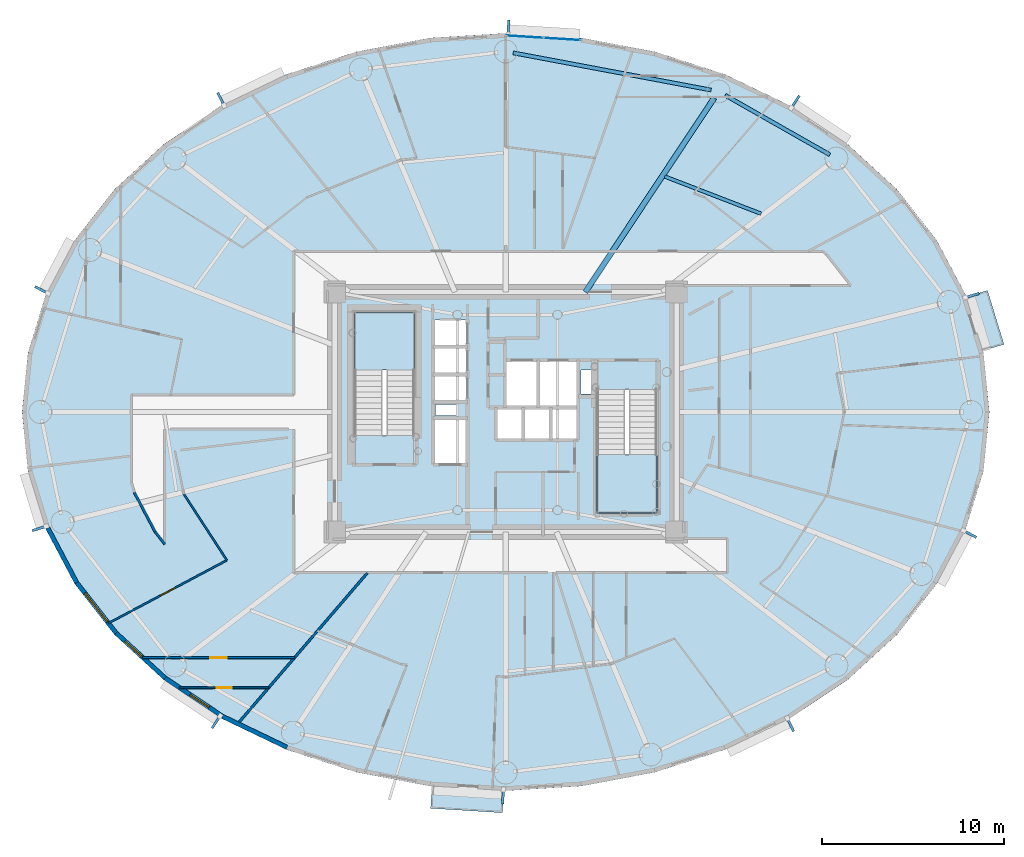
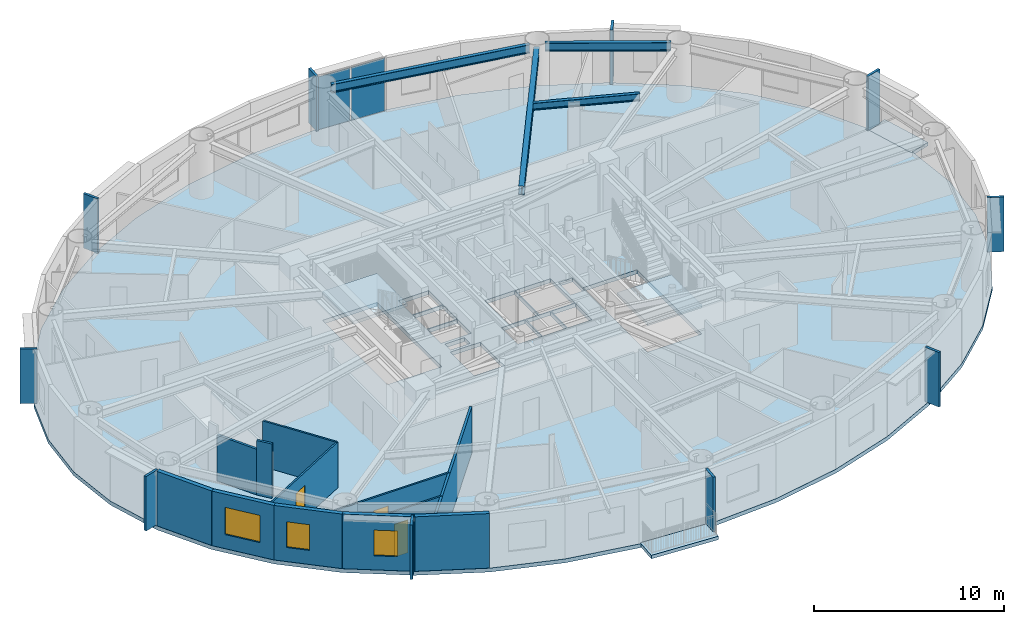
# One storey, part 5 of 18: 12 plates, 12 walls, 5 slabs, 4 beams, 3 doors, 3 windows, 6 openings, 3 elements without a shape of their own.
"""IFC4 building model written with IfcOpenShell, lengths in metres."""

from ifc_helpers import new_model, si_unit, direction, frame, frame_2d, origin, origin_2d, place, context, subcontext, project, spatial, polyline, rectangle, i_section, outline, extrude, source, transform, mapped, material, layer, layer_set, material_profile, profile_set, type_object, element, fill, aggregate, save


model = new_model("IFC4")

# Units and contexts
model_context = context("Model", 3, precision=1e-05, world=origin(), true_north=direction((0.0, 1.0)))
body_context = subcontext(model_context, "Body", "Model", "MODEL_VIEW")
ifc_project = project(units=[si_unit("LENGTHUNIT", "METRE"), si_unit("AREAUNIT", "SQUARE_METRE"), si_unit("VOLUMEUNIT", "CUBIC_METRE"), si_unit("PLANEANGLEUNIT", "RADIAN"), si_unit("MASSUNIT", "GRAM", prefix="KILO")], contexts=[model_context])

# Site, building, storey
site_placement = place(None, origin())
site = spatial("IfcSite", under=ifc_project, at=site_placement, CompositionType="ELEMENT")
building_placement = place(site_placement, origin())
building = spatial("IfcBuilding", under=site, at=building_placement, Name="Linh Dai School and Residence Tower", CompositionType="ELEMENT")
storey_placement = place(building_placement, frame((0.0, 0.0, 178.64990234375)))
storey = spatial("IfcBuildingStorey", under=building, at=storey_placement, Name="L43", CompositionType="ELEMENT", Elevation=178.64990234375)

# Beams
ifc_material_1 = material(Name="Structural Steel S355JR", Category="steel")
ifc_material_profile_1 = material_profile(ifc_material_1, i_section(OverallWidth=0.2099609375, OverallDepth=0.550048828125, WebThickness=0.010986328125, FlangeThickness=0.01708984375, FilletRadius=0.02392578125, at=origin_2d()), Name="IPE 550")
ifc_profile_set_1 = profile_set([ifc_material_profile_1], Name="Structural Steel S355JR")
beam_type_1 = type_object("IfcBeamType", Name="BM-RB55", PredefinedType="BEAM", material=ifc_profile_set_1)
beam_1_placement = place(storey_placement, frame((53.827392578125, 41.1494140625, 3.22509765625), z_axis=(-0.869262164011, 0.49435138335, 0.0), x_axis=(-0.49435138335, -0.869262164011, 0.0)))
element("IfcBeam", 1, at=beam_1_placement, inside=storey, type_object=beam_type_1, Name="L43 Perimeter Elliptical Ring Beam 03", PredefinedType="BEAM", context=body_context, shape_type="SweptSolid", body=[
    extrude(i_section(OverallWidth=0.2099609375, OverallDepth=0.550048828125, WebThickness=0.010986328125, FlangeThickness=0.01708984375, FilletRadius=0.02392578125, at=origin_2d()), origin(), (0.0, 0.0, 1.0), 6.62255859375),
])
beam_2_placement = place(storey_placement, frame((47.292724609375, 44.70849609375, 3.22509765625), z_axis=(-0.98280721278, 0.184634727255, 0.0), x_axis=(-0.184634727255, -0.98280721278, 0.0)))
element("IfcBeam", 2, at=beam_2_placement, inside=storey, type_object=beam_type_1, Name="L43 Perimeter Elliptical Ring Beam 04", PredefinedType="BEAM", context=body_context, shape_type="SweptSolid", body=[
    extrude(i_section(OverallWidth=0.2099609375, OverallDepth=0.550048828125, WebThickness=0.010986328125, FlangeThickness=0.01708984375, FilletRadius=0.02392578125, at=origin_2d()), origin(), (0.0, 0.0, 1.0), 11.0703125),
])
ifc_material_profile_2 = material_profile(ifc_material_1, i_section(OverallWidth=0.300048828125, OverallDepth=0.550048828125, WebThickness=0.014892578125, FlangeThickness=0.029052734375, FilletRadius=0.027099609375, at=origin_2d()), Name="HEB 550")
ifc_profile_set_2 = profile_set([ifc_material_profile_2], Name="Structural Steel S355JR")
beam_type_2 = type_object("IfcBeamType", Name="BM-RG55", PredefinedType="BEAM", material=ifc_profile_set_2)
beam_3_placement = place(storey_placement, frame((40.3818359375, 33.60009765625, 3.22509765625), z_axis=(0.553117176317, 0.833103468522, 0.0), x_axis=(-0.833103468522, 0.553117176317, 0.0)))
element("IfcBeam", 3, at=beam_3_placement, inside=storey, type_object=beam_type_2, Name="L43 Primary Radial Floor Girder 04", PredefinedType="BEAM", context=body_context, shape_type="SweptSolid", body=[
    extrude(i_section(OverallWidth=0.300048828125, OverallDepth=0.550048828125, WebThickness=0.014892578125, FlangeThickness=0.029052734375, FilletRadius=0.027099609375, at=origin_2d()), origin(), (0.0, 0.0, 1.0), 12.820556640625),
])
ifc_material_profile_3 = material_profile(ifc_material_1, i_section(OverallWidth=0.18994140625, OverallDepth=0.449951171875, WebThickness=0.009521484375, FlangeThickness=0.0146484375, FilletRadius=0.02099609375, at=origin_2d()), Name="IPE 450")
ifc_profile_set_3 = profile_set([ifc_material_profile_3], Name="Structural Steel S355JR")
beam_type_3 = type_object("IfcBeamType", Name="BM-SB45", PredefinedType="BEAM", material=ifc_profile_set_3)
beam_4_placement = place(storey_placement, frame((50.047607421875, 37.905029296875, 3.275146484375), z_axis=(-0.932814887644, 0.360355914881, 0.0), x_axis=(-0.360355914881, -0.932814887644, 0.0)))
element("IfcBeam", 4, at=beam_4_placement, inside=storey, type_object=beam_type_3, Name="L43 Secondary Circumferential Floor Beam 02", PredefinedType="BEAM", context=body_context, shape_type="SweptSolid", body=[
    extrude(i_section(OverallWidth=0.18994140625, OverallDepth=0.449951171875, WebThickness=0.009521484375, FlangeThickness=0.0146484375, FilletRadius=0.02099609375, at=origin_2d()), origin(), (0.0, 0.0, 1.0), 5.67822265625),
])

# Slabs
ifc_material_2 = material(Name="Concrete B45 (C35/45)", Category="concrete")
ifc_layer_1 = layer(ifc_material_2, 0.219970703125)
ifc_layer_set_1 = layer_set([ifc_layer_1], Name="Concrete B45 (C35/45)")
slab_type_1 = type_object("IfcSlabType", Name="SLB-BALC-220", PredefinedType="FLOOR", material=ifc_layer_set_1)
slab_1_placement = place(storey_placement, frame((0.0, 0.0, -0.219970703125)))
element("IfcSlab", 5, at=slab_1_placement, inside=storey, type_object=slab_type_1, Name="L43 Sliding Balcony Slab 02", PredefinedType="FLOOR", context=body_context, shape_type="SweptSolid", body=[
    extrude(outline(polyline([(61.2548828125, 33.306396484375), (62.163818359375, 30.342529296875), (63.406494140625, 30.7236328125), (62.497802734375, 33.6875), (61.2548828125, 33.306396484375)])), origin(), (0.0, 0.0, 1.0), 0.219970703125),
])
slab_2_placement = place(storey_placement, frame((0.0, 0.0, -0.219970703125)))
element("IfcSlab", 6, at=slab_2_placement, inside=storey, type_object=slab_type_1, Name="L43 Sliding Balcony Slab 30", PredefinedType="FLOOR", context=body_context, shape_type="SweptSolid", body=[
    extrude(outline(polyline([(35.8974609375, 6.25634765625), (31.951171875, 6.49951171875), (31.871337890625, 5.201904296875), (35.8173828125, 4.958740234375), (35.8974609375, 6.25634765625)])), origin(), (0.0, 0.0, 1.0), 0.219970703125),
])
ifc_layer_2 = layer(ifc_material_2, 0.25)
ifc_layer_set_2 = layer_set([ifc_layer_2], Name="Concrete B45 (C35/45)")
slab_type_2 = type_object("IfcSlabType", Name="SLB-FLR250", PredefinedType="FLOOR", material=ifc_layer_set_2)
slab_3_placement = place(storey_placement, frame((0.0, 0.0, -0.25)))
element("IfcSlab", 7, at=slab_3_placement, inside=storey, type_object=slab_type_2, Name="L43 Composite Structural Floor Slab", PredefinedType="FLOOR", context=body_context, shape_type="SweptSolid", body=[
    extrude(outline(polyline([(62.60009765625, 27.0), (62.2724609375, 30.258544921875), (61.298095703125, 33.436767578125), (59.70068359375, 36.45654296875), (57.519775390625, 39.24365234375), (54.80908203125, 41.72900390625), (51.635009765625, 43.851806640625), (48.076171875, 45.5595703125), (44.219970703125, 46.810546875), (40.1611328125, 47.573486328125), (36.0, 47.830078125), (31.8388671875, 47.573486328125), (27.780029296875, 46.810546875), (23.923828125, 45.5595703125), (20.364990234375, 43.851806640625), (17.19091796875, 41.72900390625), (14.480224609375, 39.24365234375), (12.29931640625, 36.45654296875), (10.701904296875, 33.436767578125), (9.7275390625, 30.258544921875), (9.39990234375, 27.0), (9.7275390625, 23.741455078125), (10.701904296875, 20.563232421875), (12.29931640625, 17.54345703125), (14.480224609375, 14.75634765625), (17.19091796875, 12.27099609375), (20.364990234375, 10.148193359375), (23.923828125, 8.4404296875), (27.780029296875, 7.189453125), (31.8388671875, 6.426513671875), (36.0, 6.169921875), (40.1611328125, 6.426513671875), (44.219970703125, 7.189453125), (48.076171875, 8.4404296875), (51.635009765625, 10.148193359375), (54.80908203125, 12.27099609375), (57.519775390625, 14.75634765625), (59.70068359375, 17.54345703125), (61.298095703125, 20.563232421875), (62.2724609375, 23.741455078125), (62.60009765625, 27.0)]), holes=[polyline([(30.97998046875, 25.699951171875), (30.97998046875, 32.5), (27.679931640625, 32.5), (27.679931640625, 25.699951171875), (30.97998046875, 25.699951171875)]), polyline([(41.02001953125, 28.25), (41.02001953125, 21.449951171875), (44.320068359375, 21.449951171875), (44.320068359375, 28.25), (41.02001953125, 28.25)]), polyline([(35.97998046875, 27.280029296875), (37.77001953125, 27.280029296875), (37.77001953125, 29.820068359375), (35.97998046875, 29.820068359375), (35.97998046875, 27.280029296875)]), polyline([(32.030029296875, 24.1298828125), (33.8701171875, 24.1298828125), (33.8701171875, 26.6201171875), (32.030029296875, 26.6201171875), (32.030029296875, 24.1298828125)]), polyline([(37.830078125, 27.280029296875), (39.969970703125, 27.280029296875), (39.969970703125, 29.820068359375), (37.830078125, 29.820068359375), (37.830078125, 27.280029296875)]), polyline([(32.030029296875, 27.580078125), (33.8701171875, 27.580078125), (33.8701171875, 29.030029296875), (32.030029296875, 29.030029296875), (32.030029296875, 27.580078125)]), polyline([(32.030029296875, 29.090087890625), (33.8701171875, 29.090087890625), (33.8701171875, 30.550048828125), (32.030029296875, 30.550048828125), (32.030029296875, 29.090087890625)]), polyline([(32.030029296875, 30.610107421875), (33.8701171875, 30.610107421875), (33.8701171875, 32.070068359375), (32.030029296875, 32.070068359375), (32.030029296875, 30.610107421875)]), polyline([(35.47998046875, 25.47998046875), (36.929931640625, 25.47998046875), (36.929931640625, 27.219970703125), (35.47998046875, 27.219970703125), (35.47998046875, 25.47998046875)]), polyline([(36.989990234375, 25.47998046875), (38.449951171875, 25.47998046875), (38.449951171875, 27.219970703125), (36.989990234375, 27.219970703125), (36.989990234375, 25.47998046875)]), polyline([(38.510009765625, 25.47998046875), (39.969970703125, 25.47998046875), (39.969970703125, 27.219970703125), (38.510009765625, 27.219970703125), (38.510009765625, 25.47998046875)]), polyline([(40.14990234375, 28.0), (40.14990234375, 29.300048828125), (41.0, 29.300048828125), (41.0, 28.280029296875), (40.989990234375, 28.280029296875), (40.989990234375, 28.0), (40.14990234375, 28.0)]), polyline([(32.14990234375, 26.800048828125), (33.35009765625, 26.800048828125), (33.35009765625, 27.39990234375), (32.14990234375, 27.39990234375), (32.14990234375, 26.800048828125)])]), origin(), (0.0, 0.0, 1.0), 0.25),
])

# Stair, slab
stair_type = type_object("IfcStairType", Name="ST-DOG-1550-R1442", PredefinedType="HALF_TURN_STAIR", material=ifc_material_2)
stair_1_placement = place(storey_placement, origin())
stair_1 = element("IfcStair", 8, at=stair_1_placement, inside=storey, type_object=stair_type, Name="L43 Core Smokeproof Exit Stair ST1", PredefinedType="HALF_TURN_STAIR")
ifc_layer_3 = layer(ifc_material_2, 0.199951171875)
ifc_layer_set_3 = layer_set([ifc_layer_3], Name="Concrete B45 (C35/45)")
slab_type_3 = type_object("IfcSlabType", Name="SLB-ST-LANDING-200", PredefinedType="LANDING", material=ifc_layer_set_3)
slab_4_placement = place(storey_placement, frame((0.0, 0.0, 1.675048828125)))
slab_4 = element("IfcSlab", 9, at=slab_4_placement, type_object=slab_type_3, Name="ST1 landing 1", PredefinedType="LANDING", context=body_context, shape_type="SweptSolid", body=[
    extrude(outline(polyline([(30.97998046875, 29.300048828125), (30.97998046875, 32.5), (27.679931640625, 32.5), (27.679931640625, 29.300048828125), (30.97998046875, 29.300048828125)])), origin(), (0.0, 0.0, 1.0), 0.199951171875),
])
aggregate(stair_1, [slab_4])

stair_2_placement = place(storey_placement, origin())
stair_2 = element("IfcStair", 10, at=stair_2_placement, inside=storey, type_object=stair_type, Name="L43 Core Smokeproof Exit Stair ST2", PredefinedType="HALF_TURN_STAIR")
slab_5_placement = place(storey_placement, frame((0.0, 0.0, 1.675048828125)))
slab_5 = element("IfcSlab", 11, at=slab_5_placement, type_object=slab_type_3, Name="ST2 landing 1", PredefinedType="LANDING", context=body_context, shape_type="SweptSolid", body=[
    extrude(outline(polyline([(41.02001953125, 24.64990234375), (41.02001953125, 21.449951171875), (44.320068359375, 21.449951171875), (44.320068359375, 24.64990234375), (41.02001953125, 24.64990234375)])), origin(), (0.0, 0.0, 1.0), 0.199951171875),
])
aggregate(stair_2, [slab_5])

# Plates
ifc_material_3 = material(Name="Precast Concrete B45 (C35/45)", Category="concrete")
ifc_layer_4 = layer(ifc_material_3, 0.139892578125)
ifc_layer_set_4 = layer_set([ifc_layer_4], Name="Precast Concrete B45 (C35/45)")
plate_type_1 = type_object("IfcPlateType", Name="FIN-TC-900x140", PredefinedType="USERDEFINED", material=ifc_layer_set_4)
shared_shape_1 = source(origin(), body_context, "Body", "SweptSolid", [
    extrude(rectangle(XDim=0.89990234375, YDim=0.139892578125, at=origin_2d()), origin(), (0.0, 0.0, 1.0), 3.5),
])
for number, where, z_axis, x_axis, name in (
    (12, (61.60986328125, 33.394287109375, 0.0), (0.0, 0.0, 1.0), (0.956075055167, 0.293121969301, 0.0), "L43 Precast Terracotta Radial Fin 02"),
    (13, (51.90087890625, 44.017333984375, 0.0), (0.0, 0.0, 1.0), (0.555931154932, 0.831228338651, 0.0), "L43 Precast Terracotta Radial Fin 06"),
    (14, (36.14501953125, 48.10693359375, 0.0), (0.0, 0.0, 1.0), (0.061512376467, 0.99810632076, 0.0), "L43 Precast Terracotta Radial Fin 10"),
    (15, (20.357421875, 44.164794921875, 0.0), (0.0, 0.0, 1.0), (-0.432634701653, 0.901569306779, 0.0), "L43 Precast Terracotta Radial Fin 14"),
    (16, (10.510986328125, 33.686767578125, 0.0), (0.0, 0.0, 1.0), (-0.883950726378, 0.467580060884, 0.0), "L43 Precast Terracotta Radial Fin 18"),
    (17, (10.39013671875, 20.605712890625, 0.0), (0.0, 0.0, 1.0), (-0.956075055167, -0.293121969301, 0.0), "L43 Precast Terracotta Radial Fin 22"),
    (18, (20.09912109375, 9.982666015625, 0.0), (0.0, 0.0, 1.0), (-0.555931154932, -0.831228338651, 0.0), "L43 Precast Terracotta Radial Fin 26"),
    (19, (35.85498046875, 5.89306640625, 0.0), (0.0, 0.0, 1.0), (-0.061512376467, -0.99810632076, 0.0), "L43 Precast Terracotta Radial Fin 30"),
    (20, (51.642578125, 9.835205078125, 0.0), (0.0, 0.0, 1.0), (0.432634701653, -0.901569306779, 0.0), "L43 Precast Terracotta Radial Fin 34"),
    (21, (61.489013671875, 20.313232421875, 0.0), (0.0, 0.0, 1.0), (0.883950726378, -0.467580060884, 0.0), "L43 Precast Terracotta Radial Fin 38"),
):
    element("IfcPlate", number, at=place(storey_placement, frame(where, z_axis=z_axis, x_axis=x_axis)), inside=storey, type_object=plate_type_1, Name=name, ObjectType="RADIAL FIN", PredefinedType="USERDEFINED", context=body_context, shape_type="MappedRepresentation", body=[
        mapped(shared_shape_1, transform((0.0, 0.0, 0.0), x_axis=(1.0, 0.0, 0.0), y_axis=(0.0, 1.0, 0.0), z_axis=(0.0, 0.0, 1.0), scale=1.0)),
    ])

# Curtain wall, plates
ifc_material_4 = material(Name="Aluminium Anodised Curtain Wall", Category="aluminium")
ifc_layer_5 = layer(ifc_material_4, 0.14990234375)
ifc_layer_set_5 = layer_set([ifc_layer_5], Name="Aluminium Anodised Curtain Wall")
curtain_wall_type = type_object("IfcCurtainWallType", Name="CW-SYS-4", PredefinedType="USERDEFINED", material=ifc_layer_set_5)
curtain_wall_placement = place(storey_placement, origin())
curtain_wall = element("IfcCurtainWall", 22, at=curtain_wall_placement, inside=storey, type_object=curtain_wall_type, Name="L43 CW4 Curtain Wall 10", ObjectType="RIBBON CURTAIN WALL", PredefinedType="USERDEFINED")
ifc_material_5 = material(Name="Double Low-E Insulated Glazing", Category="glass")
ifc_layer_6 = layer(ifc_material_5, 0.02587890625)
ifc_layer_set_6 = layer_set([ifc_layer_6], Name="Double Low-E Insulated Glazing")
plate_type_2 = type_object("IfcPlateType", Name="CW-SYS-4-PAN", PredefinedType="CURTAIN_PANEL", material=ifc_layer_set_6)
shared_shape_2 = source(origin(), body_context, "Body", "SweptSolid", [
    extrude(rectangle(XDim=1.998779296875, YDim=0.02587890625, at=origin_2d()), origin(), (0.0, 0.0, 1.0), 3.39599609375),
])
plate_1_placement = place(storey_placement, frame((37.04931640625, 47.640380859375, 0.052001953125), z_axis=(0.0, 0.0, 1.0), x_axis=(0.99810632076, -0.061512376467, 0.0)))
plate_1 = element("IfcPlate", 23, at=plate_1_placement, type_object=plate_type_2, Name="CW4 panel 1.1", PredefinedType="CURTAIN_PANEL", context=body_context, shape_type="MappedRepresentation", body=[
    mapped(shared_shape_2, transform((0.0, 0.0, 0.0), x_axis=(1.0, 0.0, 0.0), y_axis=(0.0, 1.0, 0.0), z_axis=(0.0, 0.0, 1.0), scale=1.0)),
])
plate_2_placement = place(storey_placement, frame((39.096435546875, 47.51416015625, 0.052001953125), z_axis=(0.0, 0.0, 1.0), x_axis=(0.99810632076, -0.061512376467, 0.0)))
plate_2 = element("IfcPlate", 24, at=plate_2_placement, type_object=plate_type_2, Name="CW4 panel 2.1", PredefinedType="CURTAIN_PANEL", context=body_context, shape_type="MappedRepresentation", body=[
    mapped(shared_shape_2, transform((0.0, 0.0, 0.0), x_axis=(1.0, 0.0, 0.0), y_axis=(0.0, 1.0, 0.0), z_axis=(0.0, 0.0, 1.0), scale=1.0)),
])
aggregate(curtain_wall, [plate_1, plate_2])

# Wall
ifc_layer_7 = layer(ifc_material_3, 0.239990234375)
ifc_layer_set_7 = layer_set([ifc_layer_7], Name="Precast Concrete B45 (C35/45)")
wall_type_1 = type_object("IfcWallType", Name="EW-TC-240", PredefinedType="SOLIDWALL", material=ifc_layer_set_7)
wall_1_placement = place(storey_placement, frame((12.404052734375, 17.611572265625, 0.0), z_axis=(0.0, 0.0, 1.0), x_axis=(-0.467586874938, 0.88394712194, 0.0)))
element("IfcWall", 25, at=wall_1_placement, inside=storey, type_object=wall_type_1, Name="L43 Terracotta Exterior Wall 23", PredefinedType="SOLIDWALL", context=body_context, shape_type="SweptSolid", body=[
    extrude(rectangle(XDim=3.393310546875, YDim=0.239990234375, at=frame_2d((1.69677734375, 0.0))), origin(), (0.0, 0.0, 1.0), 3.5),
])

# Wall, opening, window
wall_2_placement = place(storey_placement, frame((14.57177734375, 14.841552734375, 0.0), z_axis=(0.0, 0.0, 1.0), x_axis=(-0.616287674549, 0.787521112224, 0.0)))
wall_2 = element("IfcWall", 26, at=wall_2_placement, inside=storey, type_object=wall_type_1, Name="L43 Terracotta Exterior Wall 24", PredefinedType="SOLIDWALL", context=body_context, shape_type="SweptSolid", body=[
    extrude(rectangle(XDim=3.517333984375, YDim=0.239990234375, at=frame_2d((1.7587890625, 0.0))), origin(), (0.0, 0.0, 1.0), 3.5),
])
opening_1_placement = place(wall_2_placement, frame((0.77880859375, 0.0, 0.89990234375)))
opening_1 = element("IfcOpeningElement", 27, at=opening_1_placement, cuts=wall_2, Name="Opening W1", PredefinedType="OPENING", context=body_context, shape_type="SweptSolid", body=[
    extrude(rectangle(XDim=2.0, YDim=1.75, at=origin_2d()), frame((1.0, 0.1298828125, 0.875), z_axis=(0.0, -1.0, 0.0), x_axis=(1.0, 0.0, 0.0)), (0.0, 0.0, 1.0), 0.260009765625),
])
window_type_1 = type_object("IfcWindowType", Name="WN-RES-2000x1750", PartitioningType="DOUBLE_PANEL_VERTICAL", PredefinedType="WINDOW", material=ifc_material_5)
shared_shape_3 = source(origin(), body_context, "Body", "SweptSolid", [
    extrude(rectangle(XDim=2.0, YDim=1.75, at=origin_2d()), frame((1.0, 0.030029296875, 0.875), z_axis=(0.0, -1.0, 0.0), x_axis=(1.0, 0.0, 0.0)), (0.0, 0.0, 1.0), 0.06005859375),
])
window_1_placement = place(opening_1_placement, origin())
window_1 = element("IfcWindow", 28, at=window_1_placement, inside=storey, type_object=window_type_1, Name="L43 Exterior Window 24.1", OverallHeight=1.75, OverallWidth=2.0, PartitioningType="DOUBLE_PANEL_VERTICAL", PredefinedType="WINDOW", context=body_context, shape_type="MappedRepresentation", body=[
    mapped(shared_shape_3, transform((0.0, 0.0, 0.0), x_axis=(1.0, 0.0, 0.0), y_axis=(0.0, 1.0, 0.0), z_axis=(0.0, 0.0, 1.0), scale=1.0)),
])
fill(opening_1, window_1)

wall_3_placement = place(storey_placement, frame((17.26806640625, 12.369384765625, 0.0), z_axis=(0.0, 0.0, 1.0), x_axis=(-0.737076565834, 0.675809245349, 0.0)))
wall_3 = element("IfcWall", 29, at=wall_3_placement, inside=storey, type_object=wall_type_1, Name="L43 Terracotta Exterior Wall 25", PredefinedType="SOLIDWALL", context=body_context, shape_type="SweptSolid", body=[
    extrude(rectangle(XDim=3.658203125, YDim=0.239990234375, at=frame_2d((1.8291015625, 0.0))), origin(), (0.0, 0.0, 1.0), 3.5),
])
opening_2_placement = place(wall_3_placement, frame((1.74609375, 0.0, 0.89990234375)))
opening_2 = element("IfcOpeningElement", 30, at=opening_2_placement, cuts=wall_3, Name="Opening W3", PredefinedType="OPENING", context=body_context, shape_type="SweptSolid", body=[
    extrude(rectangle(XDim=1.25, YDim=1.64990234375, at=origin_2d()), frame((0.625, 0.1298828125, 0.824951171875), z_axis=(0.0, -1.0, 0.0), x_axis=(1.0, 0.0, 0.0)), (0.0, 0.0, 1.0), 0.260009765625),
])
window_type_2 = type_object("IfcWindowType", Name="WN-RES-1250x1650", PartitioningType="SINGLE_PANEL", PredefinedType="WINDOW", material=ifc_material_5)
shared_shape_4 = source(origin(), body_context, "Body", "SweptSolid", [
    extrude(rectangle(XDim=1.25, YDim=1.64990234375, at=origin_2d()), frame((0.625, 0.030029296875, 0.824951171875), z_axis=(0.0, -1.0, 0.0), x_axis=(1.0, 0.0, 0.0)), (0.0, 0.0, 1.0), 0.06005859375),
])
window_2_placement = place(opening_2_placement, origin())
window_2 = element("IfcWindow", 31, at=window_2_placement, inside=storey, type_object=window_type_2, Name="L43 Dwelling Window U4304-LIV", OverallHeight=1.64990234375, OverallWidth=1.25, PartitioningType="SINGLE_PANEL", PredefinedType="WINDOW", context=body_context, shape_type="MappedRepresentation", body=[
    mapped(shared_shape_4, transform((0.0, 0.0, 0.0), x_axis=(1.0, 0.0, 0.0), y_axis=(0.0, 1.0, 0.0), z_axis=(0.0, 0.0, 1.0), scale=1.0)),
])
fill(opening_2, window_2)

wall_4_placement = place(storey_placement, frame((20.4267578125, 10.2568359375, 0.0), z_axis=(0.0, 0.0, 1.0), x_axis=(-0.831228998277, 0.555930168657, 0.0)))
wall_4 = element("IfcWall", 32, at=wall_4_placement, inside=storey, type_object=wall_type_1, Name="L43 Terracotta Exterior Wall 26", PredefinedType="SOLIDWALL", context=body_context, shape_type="SweptSolid", body=[
    extrude(rectangle(XDim=3.800048828125, YDim=0.239990234375, at=frame_2d((1.89990234375, 0.0))), origin(), (0.0, 0.0, 1.0), 3.5),
])
opening_3_placement = place(wall_4_placement, frame((0.896240234375, 0.0, 0.89990234375)))
opening_3 = element("IfcOpeningElement", 33, at=opening_3_placement, cuts=wall_4, Name="Opening W3", PredefinedType="OPENING", context=body_context, shape_type="SweptSolid", body=[
    extrude(rectangle(XDim=1.25, YDim=1.64990234375, at=origin_2d()), frame((0.625, 0.1298828125, 0.824951171875), z_axis=(0.0, -1.0, 0.0), x_axis=(1.0, 0.0, 0.0)), (0.0, 0.0, 1.0), 0.260009765625),
])
window_3_placement = place(opening_3_placement, origin())
window_3 = element("IfcWindow", 34, at=window_3_placement, inside=storey, type_object=window_type_2, Name="L43 Exterior Window 26.1", OverallHeight=1.64990234375, OverallWidth=1.25, PartitioningType="SINGLE_PANEL", PredefinedType="WINDOW", context=body_context, shape_type="MappedRepresentation", body=[
    mapped(shared_shape_4, transform((0.0, 0.0, 0.0), x_axis=(1.0, 0.0, 0.0), y_axis=(0.0, 1.0, 0.0), z_axis=(0.0, 0.0, 1.0), scale=1.0)),
])
fill(opening_3, window_3)

# Walls
wall_5_placement = place(storey_placement, frame((23.97021484375, 8.556396484375, 0.0), z_axis=(0.0, 0.0, 1.0), x_axis=(-0.901564733809, 0.432644231155, 0.0)))
element("IfcWall", 35, at=wall_5_placement, inside=storey, type_object=wall_type_1, Name="L43 Terracotta Exterior Wall 27", PredefinedType="SOLIDWALL", context=body_context, shape_type="SweptSolid", body=[
    extrude(rectangle(XDim=3.930419921875, YDim=0.239990234375, at=frame_2d((1.96533203125, 0.0))), origin(), (0.0, 0.0, 1.0), 3.5),
])
ifc_material_6 = material(Name="Autoclaved Aerated Concrete Blockwork", Category="masonry")
ifc_layer_8 = layer(ifc_material_6, 0.135009765625)
ifc_layer_set_8 = layer_set([ifc_layer_8], Name="Autoclaved Aerated Concrete Blockwork")
wall_type_2 = type_object("IfcWallType", Name="IW-CORR-135-EI90", PredefinedType="PARTITIONING", material=ifc_layer_set_8)
wall_6_placement = place(storey_placement, frame((15.57421875, 22.577880859375, 0.0), z_axis=(0.0, 0.0, 1.0), x_axis=(0.46757196543, -0.883955008552, 0.0)))
element("IfcWall", 36, at=wall_6_placement, inside=storey, type_object=wall_type_2, Name="L43 Interior Partition Wall 010", PredefinedType="PARTITIONING", context=body_context, shape_type="SweptSolid", body=[
    extrude(rectangle(XDim=2.451416015625, YDim=0.135009765625, at=frame_2d((1.2255859375, 0.0))), origin(), (0.0, 0.0, 1.0), 2.93505859375),
])
wall_7_placement = place(storey_placement, frame((16.720458984375, 20.410888671875, 0.0), z_axis=(0.0, 0.0, 1.0), x_axis=(0.616377221056, -0.787451027914, 0.0)))
element("IfcWall", 37, at=wall_7_placement, inside=storey, type_object=wall_type_2, Name="L43 Interior Partition Wall 012", PredefinedType="PARTITIONING", context=body_context, shape_type="SweptSolid", body=[
    extrude(rectangle(XDim=0.859130859375, YDim=0.135009765625, at=frame_2d((0.4296875, 0.0))), origin(), (0.0, 0.0, 1.0), 3.5),
])
wall_8_placement = place(storey_placement, frame((21.2587890625, 9.85205078125, 0.0), z_axis=(0.0, 0.0, 1.0), x_axis=(0.651889454341, 0.758314011026, 0.0)))
element("IfcWall", 38, at=wall_8_placement, inside=storey, type_object=wall_type_2, Name="L43 Interior Partition Wall 018", PredefinedType="PARTITIONING", context=body_context, shape_type="SweptSolid", body=[
    extrude(rectangle(XDim=10.9423828125, YDim=0.135009765625, at=frame_2d((5.47119140625, 0.0))), origin(), (0.0, 0.0, 1.0), 2.93505859375),
])

# Wall, opening, door
ifc_material_7 = material(Name="Gypsum Plasterboard Acoustic Stud Partition", Category="masonry")
ifc_layer_9 = layer(ifc_material_7, 0.10009765625)
ifc_layer_set_9 = layer_set([ifc_layer_9], Name="Gypsum Plasterboard Acoustic Stud Partition")
wall_type_3 = type_object("IfcWallType", Name="IW-UNIT-100", PredefinedType="PARTITIONING", material=ifc_layer_set_9)
wall_9_placement = place(storey_placement, frame((14.14453125, 15.379150390625, 0.0), z_axis=(0.0, 0.0, 1.0), x_axis=(0.882946160832, 0.469474256027, 0.0)))
wall_9 = element("IfcWall", 39, at=wall_9_placement, inside=storey, type_object=wall_type_3, Name="L43 Interior Partition Wall 004", PredefinedType="PARTITIONING", context=body_context, shape_type="SweptSolid", body=[
    extrude(rectangle(XDim=7.385009765625, YDim=0.10009765625, at=frame_2d((3.6923828125, 0.0))), origin(), (0.0, 0.0, 1.0), 2.93505859375),
])
opening_4_placement = place(wall_9_placement, frame((3.242431640625, 0.0, 0.0)))
opening_4 = element("IfcOpeningElement", 40, at=opening_4_placement, cuts=wall_9, Name="Opening D05", PredefinedType="OPENING", context=body_context, shape_type="SweptSolid", body=[
    extrude(rectangle(XDim=0.89990234375, YDim=2.10009765625, at=origin_2d()), frame((0.449951171875, 0.06005859375, 1.050048828125), z_axis=(0.0, -1.0, 0.0), x_axis=(1.0, 0.0, 0.0)), (0.0, 0.0, 1.0), 0.1201171875),
])
ifc_material_8 = material(Name="Engineered Timber Internal Door", Category="wood")
door_type_1 = type_object("IfcDoorType", Name="DR-INT-900x2100", OperationType="NOTDEFINED", PredefinedType="DOOR", material=ifc_material_8)
shared_shape_5 = source(origin(), body_context, "Body", "SweptSolid", [
    extrude(rectangle(XDim=0.89990234375, YDim=2.10009765625, at=origin_2d()), frame((0.449951171875, 0.02490234375, 1.050048828125), z_axis=(0.0, -1.0, 0.0), x_axis=(1.0, 0.0, 0.0)), (0.0, 0.0, 1.0), 0.050048828125),
])
door_1_placement = place(opening_4_placement, origin())
door_1 = element("IfcDoor", 41, at=door_1_placement, inside=storey, type_object=door_type_1, Name="L43 Apartment U4304 Principal Bedroom 1 Door", OperationType="SINGLE_SWING_LEFT", OverallHeight=2.10009765625, OverallWidth=0.89990234375, PredefinedType="DOOR", context=body_context, shape_type="MappedRepresentation", body=[
    mapped(shared_shape_5, transform((0.0, 0.0, 0.0), x_axis=(1.0, 0.0, 0.0), y_axis=(0.0, 1.0, 0.0), z_axis=(0.0, 0.0, 1.0), scale=1.0)),
])
fill(opening_4, door_1)

wall_10_placement = place(storey_placement, frame((16.036865234375, 13.491455078125, 0.0), z_axis=(0.0, 0.0, 1.0), x_axis=(1.0, 0.0, 0.0)))
wall_10 = element("IfcWall", 42, at=wall_10_placement, inside=storey, type_object=wall_type_3, Name="L43 Interior Partition Wall 011", PredefinedType="PARTITIONING", context=body_context, shape_type="SweptSolid", body=[
    extrude(rectangle(XDim=8.350341796875, YDim=0.10009765625, at=frame_2d((4.17529296875, 0.0))), origin(), (0.0, 0.0, 1.0), 2.93505859375),
])
opening_5_placement = place(wall_10_placement, frame((3.725341796875, 0.0, 0.0)))
opening_5 = element("IfcOpeningElement", 43, at=opening_5_placement, cuts=wall_10, Name="Opening D05", PredefinedType="OPENING", context=body_context, shape_type="SweptSolid", body=[
    extrude(rectangle(XDim=0.89990234375, YDim=2.10009765625, at=origin_2d()), frame((0.449951171875, 0.06005859375, 1.050048828125), z_axis=(0.0, -1.0, 0.0), x_axis=(1.0, 0.0, 0.0)), (0.0, 0.0, 1.0), 0.1201171875),
])
door_2_placement = place(opening_5_placement, origin())
door_2 = element("IfcDoor", 44, at=door_2_placement, inside=storey, type_object=door_type_1, Name="L43 Apartment U4304 Kitchen Door", OperationType="SINGLE_SWING_RIGHT", OverallHeight=2.10009765625, OverallWidth=0.89990234375, PredefinedType="DOOR", context=body_context, shape_type="MappedRepresentation", body=[
    mapped(shared_shape_5, transform((0.0, 0.0, 0.0), x_axis=(1.0, 0.0, 0.0), y_axis=(0.0, 1.0, 0.0), z_axis=(0.0, 0.0, 1.0), scale=1.0)),
])
fill(opening_5, door_2)

wall_11_placement = place(storey_placement, frame((18.05712890625, 11.835693359375, 0.0), z_axis=(0.0, 0.0, 1.0), x_axis=(1.0, 0.0, 0.0)))
wall_11 = element("IfcWall", 45, at=wall_11_placement, inside=storey, type_object=wall_type_3, Name="L43 Interior Partition Wall 016", PredefinedType="PARTITIONING", context=body_context, shape_type="SweptSolid", body=[
    extrude(rectangle(XDim=4.90673828125, YDim=0.10009765625, at=frame_2d((2.453369140625, 0.0))), origin(), (0.0, 0.0, 1.0), 2.93505859375),
])
opening_6_placement = place(wall_11_placement, frame((2.043212890625, 0.0, 0.0)))
opening_6 = element("IfcOpeningElement", 46, at=opening_6_placement, cuts=wall_11, Name="Opening D06", PredefinedType="OPENING", context=body_context, shape_type="SweptSolid", body=[
    extrude(rectangle(XDim=0.820068359375, YDim=2.10009765625, at=origin_2d()), frame((0.41015625, 0.06005859375, 1.050048828125), z_axis=(0.0, -1.0, 0.0), x_axis=(1.0, 0.0, 0.0)), (0.0, 0.0, 1.0), 0.1201171875),
])
ifc_material_9 = material(Name="Moisture-Resistant Timber Bathroom Door", Category="wood")
door_type_2 = type_object("IfcDoorType", Name="DR-WET-820x2100", OperationType="NOTDEFINED", PredefinedType="DOOR", material=ifc_material_9)
shared_shape_6 = source(origin(), body_context, "Body", "SweptSolid", [
    extrude(rectangle(XDim=0.820068359375, YDim=2.10009765625, at=origin_2d()), frame((0.41015625, 0.02490234375, 1.050048828125), z_axis=(0.0, -1.0, 0.0), x_axis=(1.0, 0.0, 0.0)), (0.0, 0.0, 1.0), 0.050048828125),
])
door_3_placement = place(opening_6_placement, origin())
door_3 = element("IfcDoor", 47, at=door_3_placement, inside=storey, type_object=door_type_2, Name="L43 Apartment U4304 Bathroom 1 Door", OperationType="SINGLE_SWING_LEFT", OverallHeight=2.10009765625, OverallWidth=0.820068359375, PredefinedType="DOOR", context=body_context, shape_type="MappedRepresentation", body=[
    mapped(shared_shape_6, transform((0.0, 0.0, 0.0), x_axis=(1.0, 0.0, 0.0), y_axis=(0.0, 1.0, 0.0), z_axis=(0.0, 0.0, 1.0), scale=1.0)),
])
fill(opening_6, door_3)

# Wall
wall_12_placement = place(storey_placement, frame((18.291259765625, 22.494140625, 0.0), z_axis=(0.0, 0.0, 1.0), x_axis=(0.545410225271, -0.838169246734, 0.0)))
element("IfcWall", 48, at=wall_12_placement, inside=storey, type_object=wall_type_3, Name="L43 Interior Partition Wall 017", PredefinedType="PARTITIONING", context=body_context, shape_type="SweptSolid", body=[
    extrude(rectangle(XDim=4.352294921875, YDim=0.10009765625, at=frame_2d((2.17626953125, 0.0))), origin(), (0.0, 0.0, 1.0), 2.93505859375),
])

save(model, "model.ifc")
